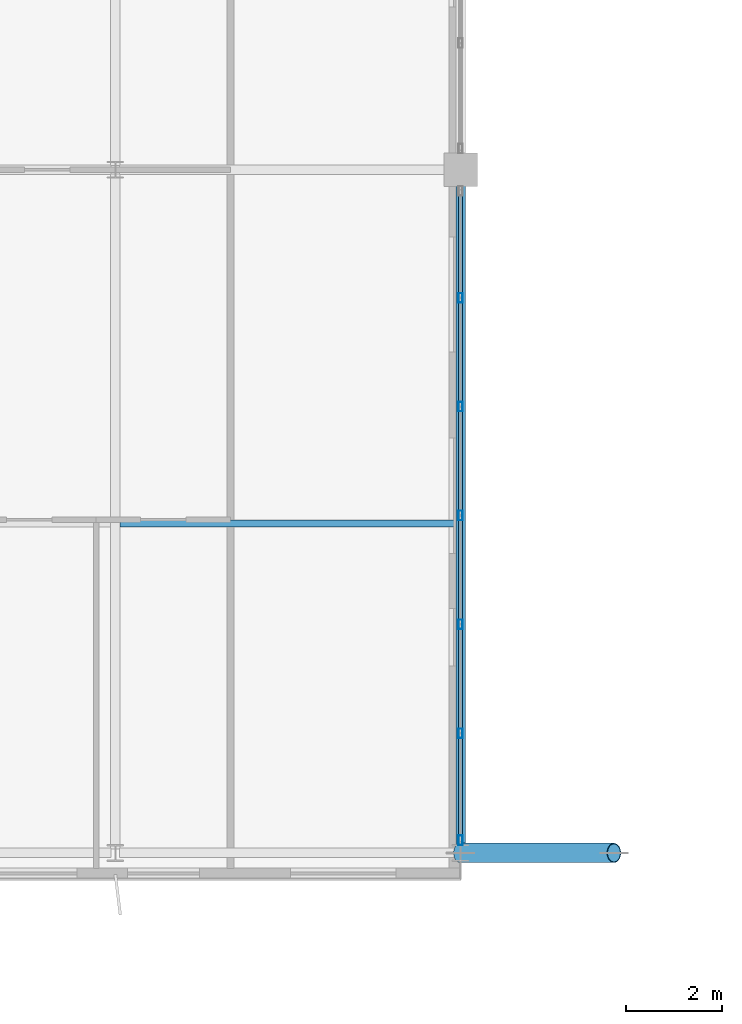
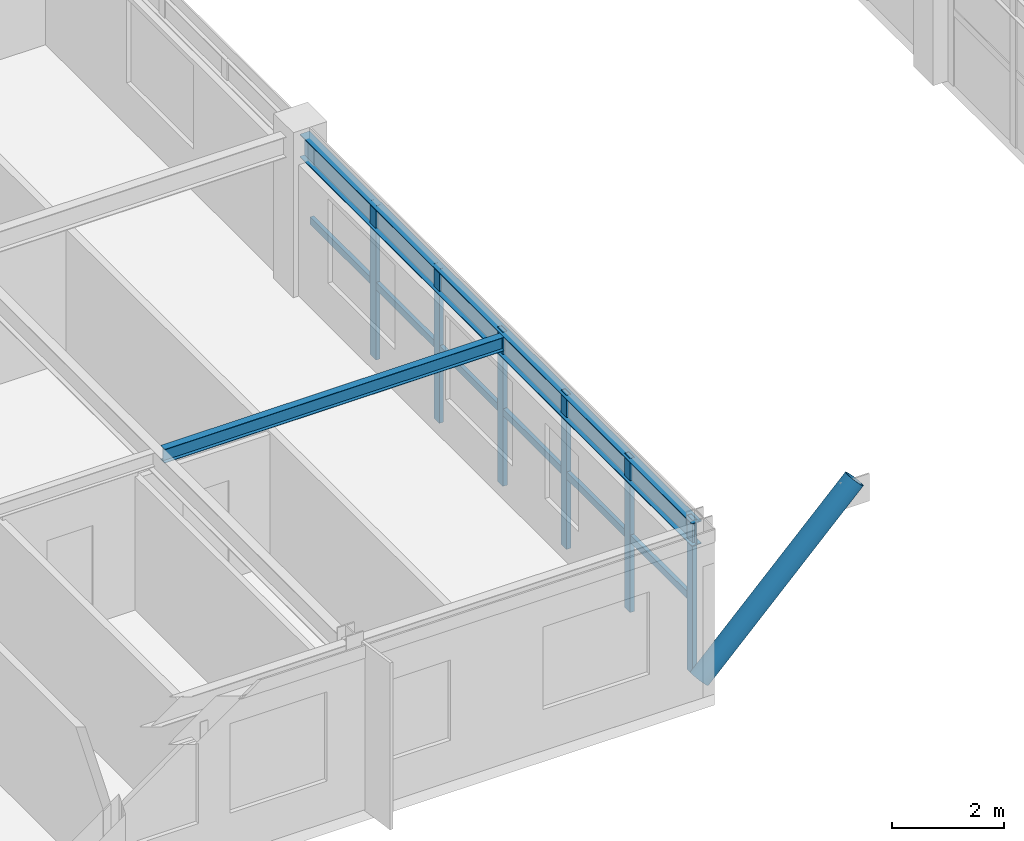
# One storey, part 6 of 34: 13 members, 2 beams, 1 element without a shape of its own.
"""IFC4 building model written with IfcOpenShell, lengths in metres."""

from ifc_helpers import new_model, si_unit, direction, frame, origin, origin_2d, place, context, subcontext, project, spatial, hollow_rectangle, hollow_circle, i_section, extrude, source, transform, mapped, material, material_profile, profile_set, type_object, element, aggregate, save


model = new_model("IFC4")

# Units and contexts
model_context = context("Model", 3, precision=1e-05, world=origin(), true_north=direction((0.0, 1.0)))
body_context = subcontext(model_context, "Body", "Model", "MODEL_VIEW")
ifc_project = project(units=[si_unit("LENGTHUNIT", "METRE"), si_unit("AREAUNIT", "SQUARE_METRE"), si_unit("VOLUMEUNIT", "CUBIC_METRE"), si_unit("PLANEANGLEUNIT", "RADIAN"), si_unit("MASSUNIT", "GRAM", prefix="KILO")], contexts=[model_context])

# Site, building, storey
site_placement = place(None, origin())
site = spatial("IfcSite", under=ifc_project, at=site_placement, CompositionType="ELEMENT")
building_placement = place(site_placement, origin())
building = spatial("IfcBuilding", under=site, at=building_placement, Name="Trelvane Seafront Commons", CompositionType="ELEMENT")
storey_placement = place(building_placement, frame((0.0, 0.0, 197.699951171875)))
storey = spatial("IfcBuildingStorey", under=building, at=storey_placement, Name="L51", CompositionType="ELEMENT", Elevation=197.699951171875)

# Beams
ifc_material_1 = material(Name="Steel SM355 (S355)", Category="steel")
ifc_material_profile_1 = material_profile(ifc_material_1, i_section(OverallWidth=0.199951171875, OverallDepth=0.5, WebThickness=0.010009765625, FlangeThickness=0.01611328125, at=origin_2d()), Name="H-500x200x10x16")
ifc_profile_set_1 = profile_set([ifc_material_profile_1], Name="Steel SM355 (S355)")
beam_type_1 = type_object("IfcBeamType", Name="STR-BM-H500", PredefinedType="BEAM", material=ifc_profile_set_1)
shared_shape_1 = source(origin(), body_context, "Body", "SweptSolid", [
    extrude(i_section(OverallWidth=0.199951171875, OverallDepth=0.5, WebThickness=0.010009765625, FlangeThickness=0.01611328125, at=origin_2d()), origin(), (0.0, 0.0, 1.0), 14.012451171875),
])
beam_1_placement = place(storey_placement, frame((30.60009765625, 4.03759765625, 3.110107421875), z_axis=(0.0, 1.0, 0.0), x_axis=(-1.0, 0.0, 0.0)))
element("IfcBeam", 1, at=beam_1_placement, inside=storey, type_object=beam_type_1, Name="L51 Primary Girder G-38", PredefinedType="BEAM", context=body_context, shape_type="MappedRepresentation", body=[
    mapped(shared_shape_1, transform((0.0, 0.0, 0.0), x_axis=(1.0, 0.0, 0.0), y_axis=(0.0, 1.0, 0.0), z_axis=(0.0, 0.0, 1.0), scale=1.0)),
])
ifc_material_profile_2 = material_profile(ifc_material_1, i_section(OverallWidth=0.14990234375, OverallDepth=0.300048828125, WebThickness=0.006591796875, FlangeThickness=0.009033203125, at=origin_2d()), Name="H-300x150x6.5x9")
ifc_profile_set_2 = profile_set([ifc_material_profile_2], Name="Steel SM355 (S355)")
beam_type_2 = type_object("IfcBeamType", Name="STR-JST-H300", PredefinedType="JOIST", material=ifc_profile_set_2)
shared_shape_2 = source(origin(), body_context, "Body", "SweptSolid", [
    extrude(i_section(OverallWidth=0.14990234375, OverallDepth=0.300048828125, WebThickness=0.006591796875, FlangeThickness=0.009033203125, at=origin_2d()), origin(), (0.0, 0.0, 1.0), 7.0),
])
beam_2_placement = place(storey_placement, frame((23.5, 10.824951171875, 3.2099609375), z_axis=(1.0, 0.0, 0.0), x_axis=(0.0, 1.0, 0.0)))
element("IfcBeam", 2, at=beam_2_placement, inside=storey, type_object=beam_type_2, Name="L51 Secondary Floor Joist B-55", PredefinedType="JOIST", context=body_context, shape_type="MappedRepresentation", body=[
    mapped(shared_shape_2, transform((0.0, 0.0, 0.0), x_axis=(1.0, 0.0, 0.0), y_axis=(0.0, 1.0, 0.0), z_axis=(0.0, 0.0, 1.0), scale=1.0)),
])

# Member
ifc_material_profile_3 = material_profile(ifc_material_1, hollow_circle(Radius=0.203125, WallThickness=0.01611328125, at=origin_2d()), Name="CHS-406.4x16")
ifc_profile_set_3 = profile_set([ifc_material_profile_3], Name="Steel SM355 (S355)")
member_type_1 = type_object("IfcMemberType", Name="STR-STR-CHS406", PredefinedType="STRUT", material=ifc_profile_set_3)
shared_shape_3 = source(origin(), body_context, "Body", "SweptSolid", [
    extrude(hollow_circle(Radius=0.203125, WallThickness=0.01611328125, at=origin_2d()), origin(), (0.0, 0.0, 1.0), 4.5537109375),
])
member_1_placement = place(storey_placement, frame((30.60009765625, 3.949951171875, 0.0), z_axis=(0.702696903382, 0.0, 0.711489326679), x_axis=(0.0, 1.0, 0.0)))
element("IfcMember", 3, at=member_1_placement, inside=storey, type_object=member_type_1, Name="L51 Void-Portal V-Frame Strut VS-SW", PredefinedType="STRUT", context=body_context, shape_type="MappedRepresentation", body=[
    mapped(shared_shape_3, transform((0.0, 0.0, 0.0), x_axis=(1.0, 0.0, 0.0), y_axis=(0.0, 1.0, 0.0), z_axis=(0.0, 0.0, 1.0), scale=1.0)),
])

# Curtain wall, members
ifc_material_2 = material(Name="Anodised pale-silver aluminium", Category="aluminium")
curtain_wall_type = type_object("IfcCurtainWallType", Name="ARCH-CW3-PORTAL", PredefinedType="NOTDEFINED", material=ifc_material_2)
curtain_wall_placement = place(storey_placement, origin())
curtain_wall = element("IfcCurtainWall", 4, at=curtain_wall_placement, inside=storey, type_object=curtain_wall_type, Name="CW-L51-VP-0085", PredefinedType="NOTDEFINED")
ifc_material_profile_4 = material_profile(ifc_material_2, hollow_rectangle(XDim=0.080078125, YDim=0.159912109375, WallThickness=0.00439453125, at=origin_2d()), Name="TRAN-80x160x4.5")
ifc_profile_set_4 = profile_set([ifc_material_profile_4], Name="Anodised pale-silver aluminium")
member_type_2 = type_object("IfcMemberType", Name="ARCH-CW-TRAN-160", PredefinedType="USERDEFINED", material=ifc_profile_set_4)
shared_shape_4 = source(origin(), body_context, "Body", "SweptSolid", [
    extrude(hollow_rectangle(XDim=0.080078125, YDim=0.159912109375, WallThickness=0.00439453125, at=origin_2d()), origin(), (0.0, 0.0, 1.0), 2.246826171875),
])
member_2_placement = place(storey_placement, frame((30.60009765625, 4.18701171875, 1.613037109375), z_axis=(0.0, 1.0, 0.0), x_axis=(-1.0, 0.0, 0.0)))
member_2 = element("IfcMember", 5, at=member_2_placement, type_object=member_type_2, Name="CW-L51-VP-0085-T00", ObjectType="TRANSOM", PredefinedType="USERDEFINED", context=body_context, shape_type="MappedRepresentation", body=[
    mapped(shared_shape_4, transform((0.0, 0.0, 0.0), x_axis=(1.0, 0.0, 0.0), y_axis=(0.0, 1.0, 0.0), z_axis=(0.0, 0.0, 1.0), scale=1.0)),
])
member_3_placement = place(storey_placement, frame((30.60009765625, 6.457763671875, 1.613037109375), z_axis=(0.0, 1.0, 0.0), x_axis=(-1.0, 0.0, 0.0)))
member_3 = element("IfcMember", 6, at=member_3_placement, type_object=member_type_2, Name="CW-L51-VP-0085-T01", ObjectType="TRANSOM", PredefinedType="USERDEFINED", context=body_context, shape_type="MappedRepresentation", body=[
    mapped(shared_shape_4, transform((0.0, 0.0, 0.0), x_axis=(1.0, 0.0, 0.0), y_axis=(0.0, 1.0, 0.0), z_axis=(0.0, 0.0, 1.0), scale=1.0)),
])
member_4_placement = place(storey_placement, frame((30.60009765625, 8.728759765625, 1.613037109375), z_axis=(0.0, 1.0, 0.0), x_axis=(-1.0, 0.0, 0.0)))
member_4 = element("IfcMember", 7, at=member_4_placement, type_object=member_type_2, Name="CW-L51-VP-0085-T02", ObjectType="TRANSOM", PredefinedType="USERDEFINED", context=body_context, shape_type="MappedRepresentation", body=[
    mapped(shared_shape_4, transform((0.0, 0.0, 0.0), x_axis=(1.0, 0.0, 0.0), y_axis=(0.0, 1.0, 0.0), z_axis=(0.0, 0.0, 1.0), scale=1.0)),
])
member_5_placement = place(storey_placement, frame((30.60009765625, 10.99951171875, 1.613037109375), z_axis=(0.0, 1.0, 0.0), x_axis=(-1.0, 0.0, 0.0)))
member_5 = element("IfcMember", 8, at=member_5_placement, type_object=member_type_2, Name="CW-L51-VP-0085-T03", ObjectType="TRANSOM", PredefinedType="USERDEFINED", context=body_context, shape_type="MappedRepresentation", body=[
    mapped(shared_shape_4, transform((0.0, 0.0, 0.0), x_axis=(1.0, 0.0, 0.0), y_axis=(0.0, 1.0, 0.0), z_axis=(0.0, 0.0, 1.0), scale=1.0)),
])
member_6_placement = place(storey_placement, frame((30.60009765625, 13.270263671875, 1.613037109375), z_axis=(0.0, 1.0, 0.0), x_axis=(-1.0, 0.0, 0.0)))
member_6 = element("IfcMember", 9, at=member_6_placement, type_object=member_type_2, Name="CW-L51-VP-0085-T04", ObjectType="TRANSOM", PredefinedType="USERDEFINED", context=body_context, shape_type="MappedRepresentation", body=[
    mapped(shared_shape_4, transform((0.0, 0.0, 0.0), x_axis=(1.0, 0.0, 0.0), y_axis=(0.0, 1.0, 0.0), z_axis=(0.0, 0.0, 1.0), scale=1.0)),
])
member_7_placement = place(storey_placement, frame((30.60009765625, 15.541259765625, 1.613037109375), z_axis=(0.0, 1.0, 0.0), x_axis=(-1.0, 0.0, 0.0)))
member_7 = element("IfcMember", 10, at=member_7_placement, type_object=member_type_2, Name="CW-L51-VP-0085-T05", ObjectType="TRANSOM", PredefinedType="USERDEFINED", context=body_context, shape_type="MappedRepresentation", body=[
    mapped(shared_shape_4, transform((0.0, 0.0, 0.0), x_axis=(1.0, 0.0, 0.0), y_axis=(0.0, 1.0, 0.0), z_axis=(0.0, 0.0, 1.0), scale=1.0)),
])
ifc_material_profile_5 = material_profile(ifc_material_2, hollow_rectangle(XDim=0.090087890625, YDim=0.199951171875, WallThickness=0.0048828125, at=origin_2d()), Name="MULL-90x200x5")
ifc_profile_set_5 = profile_set([ifc_material_profile_5], Name="Anodised pale-silver aluminium")
member_type_3 = type_object("IfcMemberType", Name="ARCH-CW-MULL-200", PredefinedType="MULLION", material=ifc_profile_set_5)
shared_shape_5 = source(origin(), body_context, "Body", "SweptSolid", [
    extrude(hollow_rectangle(XDim=0.090087890625, YDim=0.199951171875, WallThickness=0.0048828125, at=origin_2d()), origin(), (0.0, 0.0, 1.0), 3.360107421875),
])
member_8_placement = place(storey_placement, frame((30.60009765625, 4.215087890625, 0.0), z_axis=(0.0, 0.0, 1.0), x_axis=(1.0, 0.0, 0.0)))
member_8 = element("IfcMember", 11, at=member_8_placement, type_object=member_type_3, Name="CW-L51-VP-0085-M00", PredefinedType="MULLION", context=body_context, shape_type="MappedRepresentation", body=[
    mapped(shared_shape_5, transform((0.0, 0.0, 0.0), x_axis=(1.0, 0.0, 0.0), y_axis=(0.0, 1.0, 0.0), z_axis=(0.0, 0.0, 1.0), scale=1.0)),
])
member_9_placement = place(storey_placement, frame((30.60009765625, 6.44580078125, 0.0), z_axis=(0.0, 0.0, 1.0), x_axis=(1.0, 0.0, 0.0)))
member_9 = element("IfcMember", 12, at=member_9_placement, type_object=member_type_3, Name="CW-L51-VP-0085-M01", PredefinedType="MULLION", context=body_context, shape_type="MappedRepresentation", body=[
    mapped(shared_shape_5, transform((0.0, 0.0, 0.0), x_axis=(1.0, 0.0, 0.0), y_axis=(0.0, 1.0, 0.0), z_axis=(0.0, 0.0, 1.0), scale=1.0)),
])
member_10_placement = place(storey_placement, frame((30.60009765625, 8.716796875, 0.0), z_axis=(0.0, 0.0, 1.0), x_axis=(1.0, 0.0, 0.0)))
member_10 = element("IfcMember", 13, at=member_10_placement, type_object=member_type_3, Name="CW-L51-VP-0085-M02", PredefinedType="MULLION", context=body_context, shape_type="MappedRepresentation", body=[
    mapped(shared_shape_5, transform((0.0, 0.0, 0.0), x_axis=(1.0, 0.0, 0.0), y_axis=(0.0, 1.0, 0.0), z_axis=(0.0, 0.0, 1.0), scale=1.0)),
])
member_11_placement = place(storey_placement, frame((30.60009765625, 10.987548828125, 0.0), z_axis=(0.0, 0.0, 1.0), x_axis=(1.0, 0.0, 0.0)))
member_11 = element("IfcMember", 14, at=member_11_placement, type_object=member_type_3, Name="CW-L51-VP-0085-M03", PredefinedType="MULLION", context=body_context, shape_type="MappedRepresentation", body=[
    mapped(shared_shape_5, transform((0.0, 0.0, 0.0), x_axis=(1.0, 0.0, 0.0), y_axis=(0.0, 1.0, 0.0), z_axis=(0.0, 0.0, 1.0), scale=1.0)),
])
member_12_placement = place(storey_placement, frame((30.60009765625, 13.25830078125, 0.0), z_axis=(0.0, 0.0, 1.0), x_axis=(1.0, 0.0, 0.0)))
member_12 = element("IfcMember", 15, at=member_12_placement, type_object=member_type_3, Name="CW-L51-VP-0085-M04", PredefinedType="MULLION", context=body_context, shape_type="MappedRepresentation", body=[
    mapped(shared_shape_5, transform((0.0, 0.0, 0.0), x_axis=(1.0, 0.0, 0.0), y_axis=(0.0, 1.0, 0.0), z_axis=(0.0, 0.0, 1.0), scale=1.0)),
])
member_13_placement = place(storey_placement, frame((30.60009765625, 15.529296875, 0.0), z_axis=(0.0, 0.0, 1.0), x_axis=(1.0, 0.0, 0.0)))
member_13 = element("IfcMember", 16, at=member_13_placement, type_object=member_type_3, Name="CW-L51-VP-0085-M05", PredefinedType="MULLION", context=body_context, shape_type="MappedRepresentation", body=[
    mapped(shared_shape_5, transform((0.0, 0.0, 0.0), x_axis=(1.0, 0.0, 0.0), y_axis=(0.0, 1.0, 0.0), z_axis=(0.0, 0.0, 1.0), scale=1.0)),
])
aggregate(curtain_wall, [member_8, member_9, member_10, member_11, member_12, member_13, member_2, member_3, member_4, member_5, member_6, member_7])

save(model, "model.ifc")
